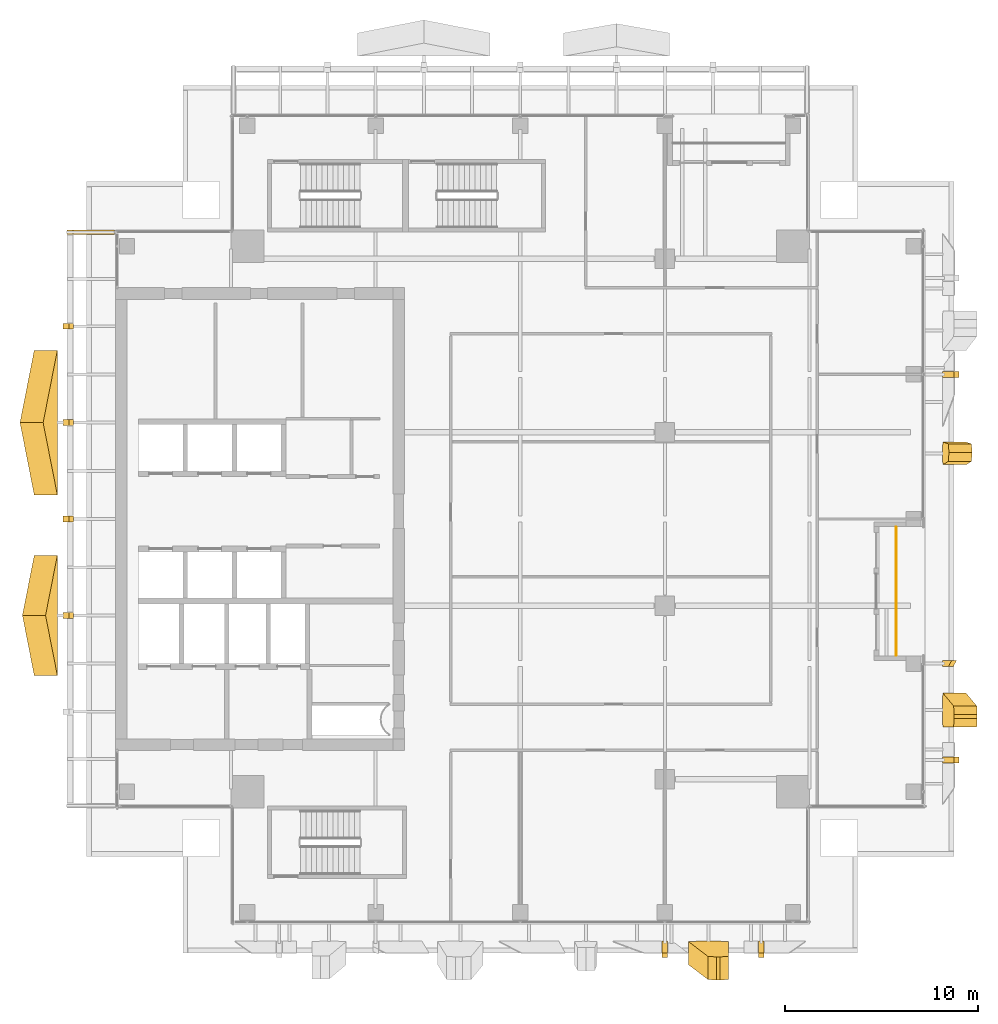
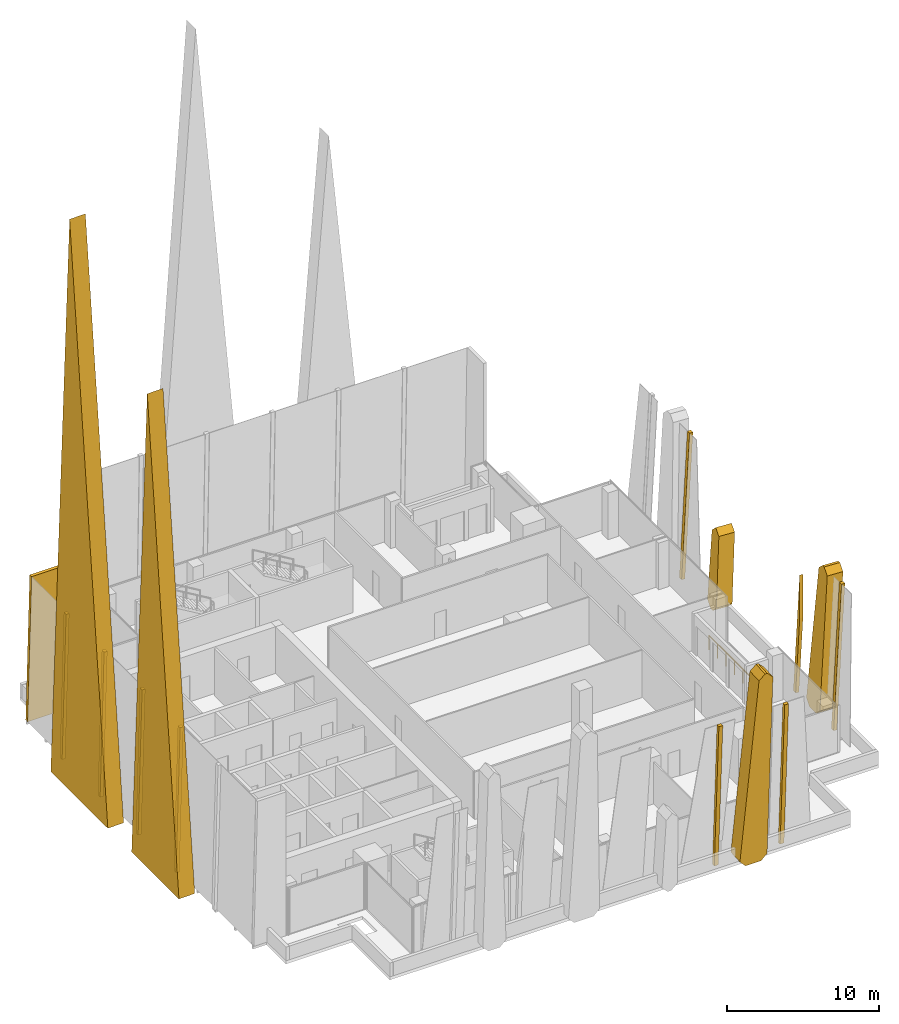
# One storey, part 30 of 32: 15 coverings, 1 railing.
"""IFC4 building model written with IfcOpenShell, lengths in metres."""

from ifc_helpers import new_model, si_unit, direction, frame, origin, origin_2d, place, context, subcontext, project, spatial, polyline, circle, outline, extrude, source, transform, mapped, material, layer, layer_set, type_object, element, save


model = new_model("IFC4")

# Units and contexts
model_context = context("Model", 3, precision=1e-05, world=origin(), true_north=direction((0.0, 1.0)))
body_context = subcontext(model_context, "Body", "Model", "MODEL_VIEW")
ifc_project = project(units=[si_unit("LENGTHUNIT", "METRE"), si_unit("AREAUNIT", "SQUARE_METRE"), si_unit("VOLUMEUNIT", "CUBIC_METRE"), si_unit("PLANEANGLEUNIT", "RADIAN"), si_unit("MASSUNIT", "GRAM", prefix="KILO")], contexts=[model_context])

# Site, building, storey
site_placement = place(None, origin())
site = spatial("IfcSite", under=ifc_project, at=site_placement, CompositionType="ELEMENT")
building_placement = place(site_placement, origin())
building = spatial("IfcBuilding", under=site, at=building_placement, Name="Khomas Fold Tower", CompositionType="ELEMENT")
storey_placement = place(building_placement, frame((0.0, 0.0, 282.199951171875)))
storey = spatial("IfcBuildingStorey", under=building, at=storey_placement, Name="L63", CompositionType="ELEMENT", Elevation=282.199951171875)

# Coverings
ifc_material_1 = material(Name="Natural stone cladding", Category="masonry")
ifc_layer_1 = layer(ifc_material_1, 0.25)
ifc_layer_set_1 = layer_set([ifc_layer_1], Name="Natural stone cladding")
covering_type_1 = type_object("IfcCoveringType", Name="SK-Karibib marble stone mullion", PredefinedType="CLADDING", material=ifc_layer_set_1)
for number, where, z_axis, x_axis, name in (
    (1, (34.35009765625, 5.10009765625, 0.0), (0.0, 0.99862882819, 0.052349436554), (0.0, -0.052349436554, 0.99862882819), "OUTER SKIN mullion L63 SM103-8"),
    (2, (39.35009765625, 5.10009765625, 0.0), (0.0, 0.99862882819, 0.052349436554), (0.0, -0.052349436554, 0.99862882819), "OUTER SKIN mullion L63 SM104-11"),
    (3, (48.89990234375, 14.35009765625, 0.0), (-0.99862882819, 0.0, 0.052349436554), (0.052349436554, 0.0, 0.99862882819), "OUTER SKIN mullion L63 EM099-2"),
):
    element("IfcCovering", number, at=place(storey_placement, frame(where, z_axis=z_axis, x_axis=x_axis)), inside=storey, type_object=covering_type_1, Name=name, PredefinedType="CLADDING", context=body_context, shape_type="SweptSolid", body=[
        extrude(outline(polyline([(0.0, 0.0), (11.565907674683308, 0.0), (11.565907674683308, 0.2998046875), (0.0, 0.2998046875), (0.0, 0.0)])), origin(), (0.0, 0.0, -1.0), 0.25),
    ])
covering_1_placement = place(storey_placement, frame((48.89990234375, 19.35009765625, 0.0), z_axis=(-0.998628420696, -0.000217187254, 0.052356758953), x_axis=(0.052356760189, -2.396e-09, 0.998628444249)))
element("IfcCovering", 4, at=covering_1_placement, inside=storey, type_object=covering_type_1, Name="OUTER SKIN mullion L63 EM100-4", PredefinedType="CLADDING", context=body_context, shape_type="SweptSolid", body=[
    extrude(outline(polyline([(0.0, 0.0), (5.9021414940064885, 0.0), (9.126772279648124, 0.29980471643922263), (-7.183496557625201e-10, 0.2998046804290609), (0.0, 0.0)])), origin(), (0.0, 0.0, -1.0), 0.25),
])
covering_2_placement = place(storey_placement, frame((49.50537109375, 34.64990234375, 11.550048828125), z_axis=(-0.99862882819, 0.0, 0.052349436554), x_axis=(-0.052349436554, 0.0, -0.99862882819)))
element("IfcCovering", 5, at=covering_2_placement, inside=storey, type_object=covering_type_1, Name="OUTER SKIN mullion L63 EM103-6", PredefinedType="CLADDING", context=body_context, shape_type="SweptSolid", body=[
    extrude(outline(polyline([(0.0, 0.0), (11.565907674683308, 0.0), (11.565907674683308, 0.2998046875), (0.0, 0.2998046875), (0.0, 0.0)])), origin(), (0.0, 0.0, -1.0), 0.25),
])
for number, where, z_axis, x_axis, name in (
    (6, (3.281982421875, 21.85009765625, 0.006591796875), (-0.999657783631, 0.0, 0.026159427089), (0.0, 1.0, 0.0), "OUTER SKIN mullion L63 W4"),
    (7, (3.281982421875, 26.85009765625, 0.006591796875), (-0.999657783631, 0.0, 0.026159427089), (0.0, 1.0, 0.0), "OUTER SKIN mullion L63 W6"),
    (8, (3.281982421875, 31.85009765625, 0.006591796875), (-0.999657783631, 0.0, 0.026159427089), (0.0, 1.0, 0.0), "OUTER SKIN mullion L63 W8"),
    (9, (3.281982421875, 36.85009765625, 0.006591796875), (-0.999657783631, 0.0, 0.026159427089), (0.0, 1.0, 0.0), "OUTER SKIN mullion L63 W10"),
):
    element("IfcCovering", number, at=place(storey_placement, frame(where, z_axis=z_axis, x_axis=x_axis)), inside=storey, type_object=covering_type_1, Name=name, PredefinedType="CLADDING", context=body_context, shape_type="SweptSolid", body=[
        extrude(outline(polyline([(0.0, 0.0), (0.2998046875, 0.0), (0.2998046875, -11.554002797007572), (0.0, -11.554002797007572), (0.0, 0.0)])), origin(), (0.0, 0.0, -1.0), 0.25),
    ])
covering_3_placement = place(storey_placement, frame((5.949951171875, 42.0, 0.0), z_axis=(0.0, 1.0, 0.0), x_axis=(-1.0, 0.0, 0.0)))
element("IfcCovering", 10, at=covering_3_placement, inside=storey, type_object=covering_type_1, Name="OUTER SKIN return L63 W2", PredefinedType="CLADDING", context=body_context, shape_type="SweptSolid", body=[
    extrude(outline(polyline([(0.0, 0.0), (2.458251953125, 0.0), (2.15576171875, 11.550048828125), (0.0, 11.550048828125), (0.0, 0.0)])), origin(), (0.0, 0.0, -1.0), 0.25),
])
ifc_material_2 = material(Name="Natural stone cladding", Category="masonry")
ifc_layer_2 = layer(ifc_material_2, 1.199951171875)
ifc_layer_set_2 = layer_set([ifc_layer_2], Name="Natural stone cladding")
covering_type_2 = type_object("IfcCoveringType", Name="SK-Karibib marble stone panel", PredefinedType="CLADDING", material=ifc_layer_set_2)
covering_4_placement = place(storey_placement, frame((37.800048828125, 4.30859375, 15.10009765625), z_axis=(1.9823611e-05, 0.998629414395, 0.052338249038), x_axis=(-9e-12, 0.052338249048, -0.998629414591)))
element("IfcCovering", 11, at=covering_4_placement, inside=storey, type_object=covering_type_2, Name="OUTER SKIN leaf L63 SS12-4", PredefinedType="CLADDING", context=body_context, shape_type="SweptSolid", body=[
    extrude(outline(polyline([(0.0, 0.0), (14.670253680328345, -3.3881317890172014e-21), (15.120827611301543, 0.44995117375537164), (15.120827611312396, 1.6166992204011201), (14.639200871901172, 2.0656738260572065), (-0.030796224534287354, 1.058349612084942), (-0.4505611530705103, 0.6093750027445992), (-0.45056115307199335, 0.44995117465092405), (0.0, 0.0)])), origin(), (0.0, 0.0, -1.0), 1.199951171875),
])
covering_5_placement = place(storey_placement, frame((49.483154296875, 17.30322265625, 11.128173828125), z_axis=(-0.998629117137, -4.588621e-06, 0.052343924045), x_axis=(-0.052242510389, 0.062305946515, -0.996688862754)))
element("IfcCovering", 12, at=covering_5_placement, inside=storey, type_object=covering_type_2, Name="OUTER SKIN leaf L63 ES03-1", PredefinedType="CLADDING", context=body_context, shape_type="SweptSolid", body=[
    extrude(outline(polyline([(0.0, 0.0), (10.685520740917307, 0.0), (11.135289986585004, 0.47817108815034465), (11.081091723051934, 1.346354056132131), (10.603358579255767, 1.7673575817212255), (-0.04068063916513582, 1.1028796267152385), (-0.46234451566326706, 0.6257292314564898), (-0.44961256321387594, 0.4217805521972266), (0.0, 0.0)])), origin(), (0.0, 0.0, -1.0), 1.199951171875),
])
covering_6_placement = place(storey_placement, frame((48.92431640625, 29.8154296875, 0.464599609375), z_axis=(-0.998629213472, 9.6473557e-05, 0.052341997411), x_axis=(0.052317570442, 0.032442577092, 0.998103376918)))
element("IfcCovering", 13, at=covering_6_placement, inside=storey, type_object=covering_type_2, Name="OUTER SKIN leaf L63 ES09-2", PredefinedType="CLADDING", context=body_context, shape_type="SweptSolid", body=[
    extrude(outline(polyline([(0.0, 0.0), (5.5461570852626085, 0.0), (5.996779082119236, 0.4387366210631082), (5.5687522483082645, 0.8993986058692465), (0.03157706793378606, 1.1761083369015681), (-0.4414241635484417, 0.7412736337772209), (-0.4504060684365711, 0.4645639027448993), (0.0, 0.0)])), origin(), (0.0, 0.0, -1.0), 1.199951171875),
])
covering_7_placement = place(storey_placement, frame((2.98828125, 18.887939453125, 0.25), z_axis=(0.999876340011, 0.0, 0.015725924047), x_axis=(0.0, 1.0, 0.0)))
element("IfcCovering", 14, at=covering_7_placement, inside=storey, type_object=covering_type_2, Name="OUTER SKIN blade L63 WZ5-1", PredefinedType="CLADDING", context=body_context, shape_type="SweptSolid", body=[
    extrude(outline(polyline([(0.0, 0.0), (6.22412109375, 0.0), (3.112060546875, 38.90495747100605), (0.0, 0.0)])), origin(), (0.0, 0.0, -1.0), 1.199951171875),
])
covering_8_placement = place(storey_placement, frame((2.98828125, 28.248046875, 0.25), z_axis=(0.999876370356, 0.0, 0.015723994497), x_axis=(0.0, 1.0, 0.0)))
element("IfcCovering", 15, at=covering_8_placement, inside=storey, type_object=covering_type_2, Name="OUTER SKIN blade L63 WZ5-2", PredefinedType="CLADDING", context=body_context, shape_type="SweptSolid", body=[
    extrude(outline(polyline([(0.0, 0.0), (7.50390625, 0.0), (3.751953125, 46.905945449694336), (0.0, 0.0)])), origin(), (0.0, 0.0, -1.0), 1.199951171875),
])

# Railing
ifc_material_3 = material(Name="Powder-coated steel", Category="steel")
railing_type = type_object("IfcRailingType", Name="Balcony guard", PredefinedType="GUARDRAIL", material=ifc_material_3)
shared_shape = source(origin(), body_context, "Body", "SweptSolid", [
    extrude(circle(Radius=0.02490234375, at=origin_2d()), frame((0.0, 0.0, 1.125), z_axis=(0.0, 1.0, 0.0), x_axis=(-1.0, 0.0, 0.0)), (0.0, 0.0, 1.0), 6.64013671875),
    extrude(circle(Radius=0.02001953125, at=origin_2d()), origin(), (0.0, 0.0, 1.0), 1.099853515625),
    extrude(circle(Radius=0.02001953125, at=origin_2d()), frame((0.0, 1.106689453125, 0.0)), (0.0, 0.0, 1.0), 1.099853515625),
    extrude(circle(Radius=0.02001953125, at=origin_2d()), frame((0.0, 2.21337890625, 0.0)), (0.0, 0.0, 1.0), 1.099853515625),
    extrude(circle(Radius=0.02001953125, at=origin_2d()), frame((0.0, 3.320068359375, 0.0)), (0.0, 0.0, 1.0), 1.099853515625),
    extrude(circle(Radius=0.02001953125, at=origin_2d()), frame((0.0, 4.4267578125, 0.0)), (0.0, 0.0, 1.0), 1.099853515625),
    extrude(circle(Radius=0.02001953125, at=origin_2d()), frame((0.0, 5.533447265625, 0.0)), (0.0, 0.0, 1.0), 1.099853515625),
    extrude(circle(Radius=0.02001953125, at=origin_2d()), frame((0.0, 6.64013671875, 0.0)), (0.0, 0.0, 1.0), 1.099853515625),
])
railing_placement = place(storey_placement, frame((46.5, 19.929931640625, -0.044921875)))
element("IfcRailing", 16, at=railing_placement, inside=storey, type_object=railing_type, Name="Balcony guard BAL-L63-E2", PredefinedType="GUARDRAIL", context=body_context, shape_type="MappedRepresentation", body=[
    mapped(shared_shape, transform((0.0, 0.0, 0.0))),
])

save(model, "model.ifc")
